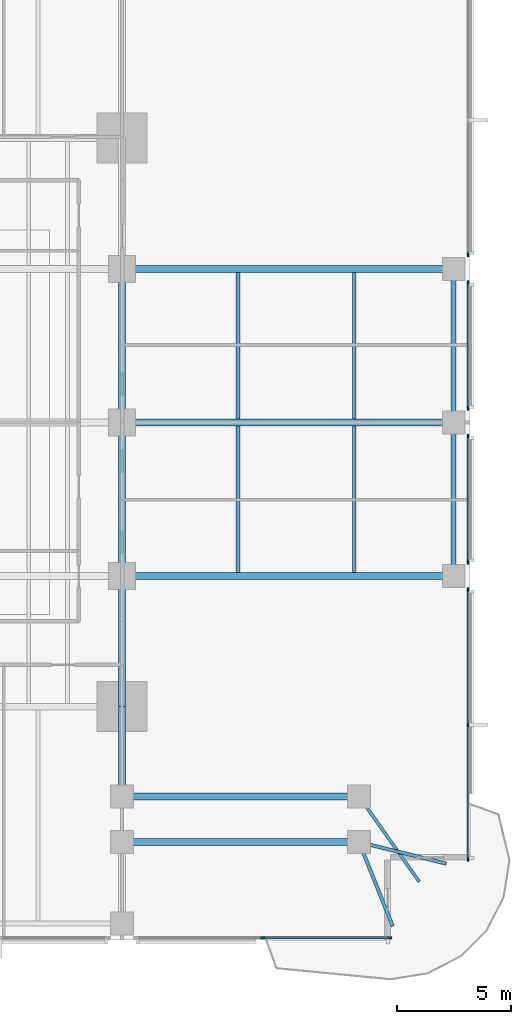
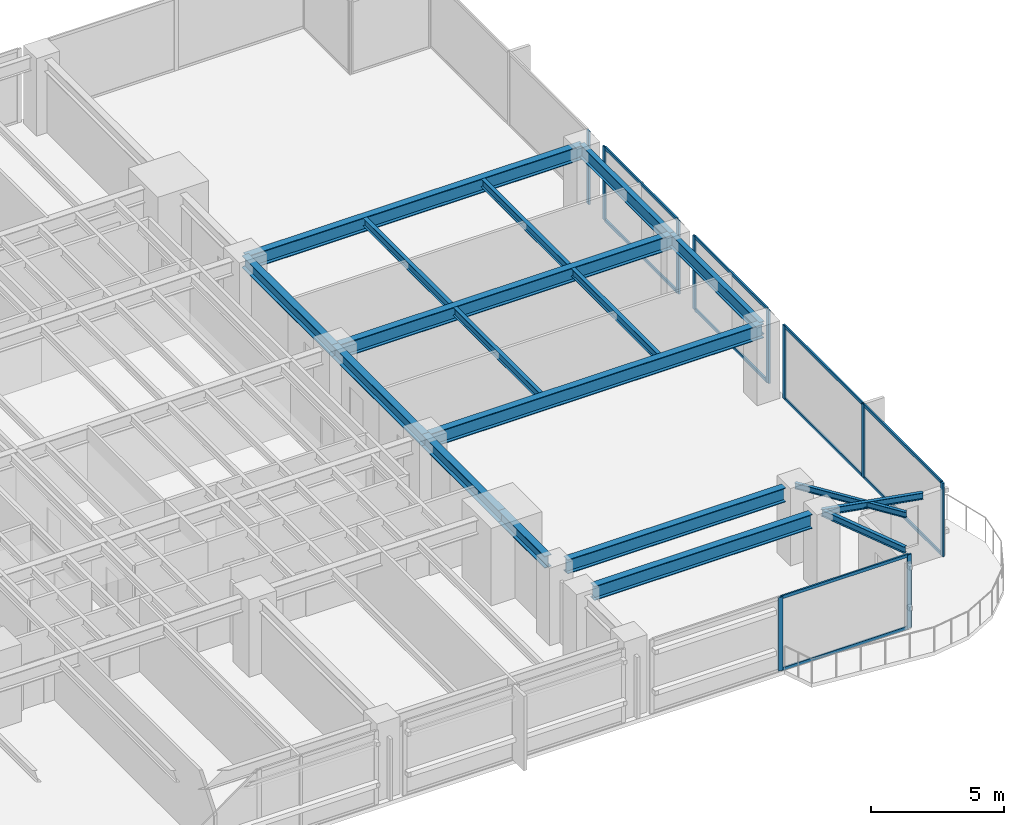
# One storey, part 4 of 15: 20 members, 18 beams, 5 elements without a shape of their own.
"""IFC4 building model written with IfcOpenShell, lengths in metres."""

from ifc_helpers import new_model, si_unit, direction, frame, origin, origin_2d, place, context, subcontext, project, spatial, rectangle, i_section, extrude, material, layer, layer_set, material_profile, profile_set, type_object, element, aggregate, save


model = new_model("IFC4")

# Units and contexts
model_context = context("Model", 3, precision=1e-05, world=origin(), true_north=direction((0.0, 1.0)))
body_context = subcontext(model_context, "Body", "Model", "MODEL_VIEW")
ifc_project = project(units=[si_unit("LENGTHUNIT", "METRE"), si_unit("AREAUNIT", "SQUARE_METRE"), si_unit("VOLUMEUNIT", "CUBIC_METRE"), si_unit("PLANEANGLEUNIT", "RADIAN"), si_unit("MASSUNIT", "GRAM", prefix="KILO")], contexts=[model_context])

# Site, building, storey
site_placement = place(None, origin())
site = spatial("IfcSite", under=ifc_project, at=site_placement, CompositionType="ELEMENT")
building_placement = place(site_placement, origin())
building = spatial("IfcBuilding", under=site, at=building_placement, Name="Kinhvarn Gate Tower", CompositionType="ELEMENT")
storey_placement = place(building_placement, frame((0.0, 0.0, 61.10009765625)))
storey = spatial("IfcBuildingStorey", under=building, at=storey_placement, Name="L15", CompositionType="ELEMENT", Elevation=61.10009765625)

# Curtain wall, members
ifc_material_1 = material(Name="Anodised aluminium AW-6063", Category="aluminium")
ifc_layer = layer(ifc_material_1, 0.179931640625)
ifc_layer_set = layer_set([ifc_layer], Name="Anodised aluminium AW-6063")
curtain_wall_type = type_object("IfcCurtainWallType", Name="CW-SYS-2", PredefinedType="NOTDEFINED", material=ifc_layer_set)
curtain_wall_1_placement = place(storey_placement, origin())
curtain_wall_1 = element("IfcCurtainWall", 1, at=curtain_wall_1_placement, inside=storey, type_object=curtain_wall_type, Name="Curtain Wall CW2 (L15)", PredefinedType="NOTDEFINED")
ifc_material_profile_1 = material_profile(ifc_material_1, rectangle(XDim=0.070068359375, YDim=0.179931640625, at=origin_2d()), Name="ALU 70x180")
ifc_profile_set_1 = profile_set([ifc_material_profile_1], Name="Anodised aluminium AW-6063")
member_type_1 = type_object("IfcMemberType", Name="CW-MUL-180", PredefinedType="MULLION", material=ifc_profile_set_1)
member_1_placement = place(storey_placement, frame((44.389892578125, 2.590087890625, 0.0), z_axis=(0.0, 0.0, 1.0), x_axis=(0.0, 1.0, 0.0)))
member_1 = element("IfcMember", 2, at=member_1_placement, type_object=member_type_1, Name="CW2 mullion 2", PredefinedType="MULLION", context=body_context, shape_type="SweptSolid", body=[
    extrude(rectangle(XDim=0.070068359375, YDim=0.179931640625, at=origin_2d()), origin(), (0.0, 0.0, 1.0), 3.369873046875),
])
member_2_placement = place(storey_placement, frame((49.965087890625, 2.590087890625, 0.0), z_axis=(0.0, 0.0, 1.0), x_axis=(0.0, 1.0, 0.0)))
member_2 = element("IfcMember", 3, at=member_2_placement, type_object=member_type_1, Name="CW2 mullion 3", PredefinedType="MULLION", context=body_context, shape_type="SweptSolid", body=[
    extrude(rectangle(XDim=0.070068359375, YDim=0.179931640625, at=origin_2d()), origin(), (0.0, 0.0, 1.0), 3.369873046875),
])

curtain_wall_2_placement = place(storey_placement, origin())
curtain_wall_2 = element("IfcCurtainWall", 4, at=curtain_wall_2_placement, inside=storey, type_object=curtain_wall_type, Name="Curtain Wall CW2 (L15)", PredefinedType="NOTDEFINED")
member_3_placement = place(storey_placement, frame((53.409912109375, 6.034912109375, 0.0), z_axis=(0.0, 0.0, 1.0), x_axis=(-1.0, 0.0, 0.0)))
member_3 = element("IfcMember", 5, at=member_3_placement, type_object=member_type_1, Name="CW2 mullion 1", PredefinedType="MULLION", context=body_context, shape_type="SweptSolid", body=[
    extrude(rectangle(XDim=0.070068359375, YDim=0.179931640625, at=origin_2d()), origin(), (0.0, 0.0, 1.0), 3.369873046875),
])
member_4_placement = place(storey_placement, frame((53.409912109375, 11.9599609375, 0.0), z_axis=(0.0, 0.0, 1.0), x_axis=(-1.0, 0.0, 0.0)))
member_4 = element("IfcMember", 6, at=member_4_placement, type_object=member_type_1, Name="CW2 mullion 2", PredefinedType="MULLION", context=body_context, shape_type="SweptSolid", body=[
    extrude(rectangle(XDim=0.070068359375, YDim=0.179931640625, at=origin_2d()), origin(), (0.0, 0.0, 1.0), 3.369873046875),
])
member_5_placement = place(storey_placement, frame((53.409912109375, 17.885009765625, 0.0), z_axis=(0.0, 0.0, 1.0), x_axis=(-1.0, 0.0, 0.0)))
member_5 = element("IfcMember", 7, at=member_5_placement, type_object=member_type_1, Name="CW2 mullion 3", PredefinedType="MULLION", context=body_context, shape_type="SweptSolid", body=[
    extrude(rectangle(XDim=0.070068359375, YDim=0.179931640625, at=origin_2d()), origin(), (0.0, 0.0, 1.0), 3.369873046875),
])

curtain_wall_3_placement = place(storey_placement, origin())
curtain_wall_3 = element("IfcCurtainWall", 8, at=curtain_wall_3_placement, inside=storey, type_object=curtain_wall_type, Name="Curtain Wall CW2 (L15)", PredefinedType="NOTDEFINED")
member_6_placement = place(storey_placement, frame((53.409912109375, 19.114990234375, 0.0), z_axis=(0.0, 0.0, 1.0), x_axis=(-1.0, 0.0, 0.0)))
member_6 = element("IfcMember", 9, at=member_6_placement, type_object=member_type_1, Name="CW2 mullion 1", PredefinedType="MULLION", context=body_context, shape_type="SweptSolid", body=[
    extrude(rectangle(XDim=0.070068359375, YDim=0.179931640625, at=origin_2d()), origin(), (0.0, 0.0, 1.0), 3.369873046875),
])
member_7_placement = place(storey_placement, frame((53.409912109375, 24.635009765625, 0.0), z_axis=(0.0, 0.0, 1.0), x_axis=(-1.0, 0.0, 0.0)))
member_7 = element("IfcMember", 10, at=member_7_placement, type_object=member_type_1, Name="CW2 mullion 2", PredefinedType="MULLION", context=body_context, shape_type="SweptSolid", body=[
    extrude(rectangle(XDim=0.070068359375, YDim=0.179931640625, at=origin_2d()), origin(), (0.0, 0.0, 1.0), 3.369873046875),
])

curtain_wall_4_placement = place(storey_placement, origin())
curtain_wall_4 = element("IfcCurtainWall", 11, at=curtain_wall_4_placement, inside=storey, type_object=curtain_wall_type, Name="Curtain Wall CW2 (L15)", PredefinedType="NOTDEFINED")
member_8_placement = place(storey_placement, frame((53.409912109375, 25.864990234375, 0.0), z_axis=(0.0, 0.0, 1.0), x_axis=(-1.0, 0.0, 0.0)))
member_8 = element("IfcMember", 12, at=member_8_placement, type_object=member_type_1, Name="CW2 mullion 1", PredefinedType="MULLION", context=body_context, shape_type="SweptSolid", body=[
    extrude(rectangle(XDim=0.070068359375, YDim=0.179931640625, at=origin_2d()), origin(), (0.0, 0.0, 1.0), 3.369873046875),
])
member_9_placement = place(storey_placement, frame((53.409912109375, 31.385009765625, 0.0), z_axis=(0.0, 0.0, 1.0), x_axis=(-1.0, 0.0, 0.0)))
member_9 = element("IfcMember", 13, at=member_9_placement, type_object=member_type_1, Name="CW2 mullion 2", PredefinedType="MULLION", context=body_context, shape_type="SweptSolid", body=[
    extrude(rectangle(XDim=0.070068359375, YDim=0.179931640625, at=origin_2d()), origin(), (0.0, 0.0, 1.0), 3.369873046875),
])

# Curtain wall, member
curtain_wall_5_placement = place(storey_placement, origin())
curtain_wall_5 = element("IfcCurtainWall", 14, at=curtain_wall_5_placement, inside=storey, type_object=curtain_wall_type, Name="Curtain Wall CW2 (L15)", PredefinedType="NOTDEFINED")
member_10_placement = place(storey_placement, frame((53.409912109375, 32.614990234375, 0.0), z_axis=(0.0, 0.0, 1.0), x_axis=(-1.0, 0.0, 0.0)))
member_10 = element("IfcMember", 15, at=member_10_placement, type_object=member_type_1, Name="CW2 mullion 1", PredefinedType="MULLION", context=body_context, shape_type="SweptSolid", body=[
    extrude(rectangle(XDim=0.070068359375, YDim=0.179931640625, at=origin_2d()), origin(), (0.0, 0.0, 1.0), 3.369873046875),
])
aggregate(curtain_wall_5, [member_10])

# Member
ifc_material_profile_2 = material_profile(ifc_material_1, rectangle(XDim=0.070068359375, YDim=0.139892578125, at=origin_2d()), Name="ALU 70x140")
ifc_profile_set_2 = profile_set([ifc_material_profile_2], Name="Anodised aluminium AW-6063")
member_type_2 = type_object("IfcMemberType", Name="CW-TRN-140", PredefinedType="USERDEFINED", material=ifc_profile_set_2)
member_11_placement = place(storey_placement, frame((44.425048828125, 2.590087890625, 0.034912109375), z_axis=(1.0, 0.0, 0.0), x_axis=(0.0, 1.0, 0.0)))
member_11 = element("IfcMember", 16, at=member_11_placement, type_object=member_type_2, Name="CW2 transom 2.1", ObjectType="TRANSOM", PredefinedType="USERDEFINED", context=body_context, shape_type="SweptSolid", body=[
    extrude(rectangle(XDim=0.070068359375, YDim=0.139892578125, at=origin_2d()), origin(), (0.0, 0.0, 1.0), 5.5048828125),
])

member_12_placement = place(storey_placement, frame((44.425048828125, 2.590087890625, 3.3349609375), z_axis=(1.0, 0.0, 0.0), x_axis=(0.0, 1.0, 0.0)))
member_12 = element("IfcMember", 17, at=member_12_placement, type_object=member_type_2, Name="CW2 transom 2.2", ObjectType="TRANSOM", PredefinedType="USERDEFINED", context=body_context, shape_type="SweptSolid", body=[
    extrude(rectangle(XDim=0.070068359375, YDim=0.139892578125, at=origin_2d()), origin(), (0.0, 0.0, 1.0), 5.5048828125),
])

aggregate(curtain_wall_1, [member_1, member_2, member_11, member_12])

member_13_placement = place(storey_placement, frame((53.409912109375, 6.070068359375, 0.034912109375), z_axis=(0.0, 1.0, 0.0), x_axis=(-1.0, 0.0, 0.0)))
member_13 = element("IfcMember", 18, at=member_13_placement, type_object=member_type_2, Name="CW2 transom 1.1", ObjectType="TRANSOM", PredefinedType="USERDEFINED", context=body_context, shape_type="SweptSolid", body=[
    extrude(rectangle(XDim=0.070068359375, YDim=0.139892578125, at=origin_2d()), origin(), (0.0, 0.0, 1.0), 5.85498046875),
])

member_14_placement = place(storey_placement, frame((53.409912109375, 6.070068359375, 3.3349609375), z_axis=(0.0, 1.0, 0.0), x_axis=(-1.0, 0.0, 0.0)))
member_14 = element("IfcMember", 19, at=member_14_placement, type_object=member_type_2, Name="CW2 transom 1.2", ObjectType="TRANSOM", PredefinedType="USERDEFINED", context=body_context, shape_type="SweptSolid", body=[
    extrude(rectangle(XDim=0.070068359375, YDim=0.139892578125, at=origin_2d()), origin(), (0.0, 0.0, 1.0), 5.85498046875),
])

member_15_placement = place(storey_placement, frame((53.409912109375, 11.9951171875, 0.034912109375), z_axis=(0.0, 1.0, 0.0), x_axis=(-1.0, 0.0, 0.0)))
member_15 = element("IfcMember", 20, at=member_15_placement, type_object=member_type_2, Name="CW2 transom 2.1", ObjectType="TRANSOM", PredefinedType="USERDEFINED", context=body_context, shape_type="SweptSolid", body=[
    extrude(rectangle(XDim=0.070068359375, YDim=0.139892578125, at=origin_2d()), origin(), (0.0, 0.0, 1.0), 5.85498046875),
])

member_16_placement = place(storey_placement, frame((53.409912109375, 11.9951171875, 3.3349609375), z_axis=(0.0, 1.0, 0.0), x_axis=(-1.0, 0.0, 0.0)))
member_16 = element("IfcMember", 21, at=member_16_placement, type_object=member_type_2, Name="CW2 transom 2.2", ObjectType="TRANSOM", PredefinedType="USERDEFINED", context=body_context, shape_type="SweptSolid", body=[
    extrude(rectangle(XDim=0.070068359375, YDim=0.139892578125, at=origin_2d()), origin(), (0.0, 0.0, 1.0), 5.85498046875),
])

aggregate(curtain_wall_2, [member_3, member_4, member_5, member_13, member_14, member_15, member_16])

member_17_placement = place(storey_placement, frame((53.409912109375, 19.14990234375, 0.034912109375), z_axis=(0.0, 1.0, 0.0), x_axis=(-1.0, 0.0, 0.0)))
member_17 = element("IfcMember", 22, at=member_17_placement, type_object=member_type_2, Name="CW2 transom 1.1", ObjectType="TRANSOM", PredefinedType="USERDEFINED", context=body_context, shape_type="SweptSolid", body=[
    extrude(rectangle(XDim=0.070068359375, YDim=0.139892578125, at=origin_2d()), origin(), (0.0, 0.0, 1.0), 5.4501953125),
])

member_18_placement = place(storey_placement, frame((53.409912109375, 19.14990234375, 3.3349609375), z_axis=(0.0, 1.0, 0.0), x_axis=(-1.0, 0.0, 0.0)))
member_18 = element("IfcMember", 23, at=member_18_placement, type_object=member_type_2, Name="CW2 transom 1.2", ObjectType="TRANSOM", PredefinedType="USERDEFINED", context=body_context, shape_type="SweptSolid", body=[
    extrude(rectangle(XDim=0.070068359375, YDim=0.139892578125, at=origin_2d()), origin(), (0.0, 0.0, 1.0), 5.4501953125),
])

aggregate(curtain_wall_3, [member_6, member_7, member_17, member_18])

member_19_placement = place(storey_placement, frame((53.409912109375, 25.89990234375, 0.034912109375), z_axis=(0.0, 1.0, 0.0), x_axis=(-1.0, 0.0, 0.0)))
member_19 = element("IfcMember", 24, at=member_19_placement, type_object=member_type_2, Name="CW2 transom 1.1", ObjectType="TRANSOM", PredefinedType="USERDEFINED", context=body_context, shape_type="SweptSolid", body=[
    extrude(rectangle(XDim=0.070068359375, YDim=0.139892578125, at=origin_2d()), origin(), (0.0, 0.0, 1.0), 5.4501953125),
])

member_20_placement = place(storey_placement, frame((53.409912109375, 25.89990234375, 3.3349609375), z_axis=(0.0, 1.0, 0.0), x_axis=(-1.0, 0.0, 0.0)))
member_20 = element("IfcMember", 25, at=member_20_placement, type_object=member_type_2, Name="CW2 transom 1.2", ObjectType="TRANSOM", PredefinedType="USERDEFINED", context=body_context, shape_type="SweptSolid", body=[
    extrude(rectangle(XDim=0.070068359375, YDim=0.139892578125, at=origin_2d()), origin(), (0.0, 0.0, 1.0), 5.4501953125),
])

aggregate(curtain_wall_4, [member_8, member_9, member_19, member_20])

# Beams
ifc_material_2 = material(Name="Steel S355", Category="steel")
ifc_material_profile_3 = material_profile(ifc_material_2, i_section(OverallWidth=0.300048828125, OverallDepth=0.550048828125, WebThickness=0.014892578125, FlangeThickness=0.029052734375, at=origin_2d()), Name="HEB 550")
ifc_profile_set_3 = profile_set([ifc_material_profile_3], Name="Steel S355")
beam_type_1 = type_object("IfcBeamType", Name="STL-HEB550", PredefinedType="BEAM", material=ifc_profile_set_3)
beam_1_placement = place(storey_placement, frame((38.199951171875, 9.284912109375, 3.094970703125), z_axis=(0.0, 1.0, 0.0), x_axis=(-1.0, 0.0, 0.0)))
element("IfcBeam", 26, at=beam_1_placement, inside=storey, type_object=beam_type_1, Name="Floor Beam PG-15 (L15 MCE-S-A2)", PredefinedType="BEAM", context=body_context, shape_type="SweptSolid", body=[
    extrude(i_section(OverallWidth=0.300048828125, OverallDepth=0.550048828125, WebThickness=0.014892578125, FlangeThickness=0.029052734375, at=origin_2d()), origin(), (0.0, 0.0, 1.0), 3.465087890625),
])
beam_2_placement = place(storey_placement, frame((38.199951171875, 12.75, 3.094970703125), z_axis=(0.0, 1.0, 0.0), x_axis=(-1.0, 0.0, 0.0)))
element("IfcBeam", 27, at=beam_2_placement, inside=storey, type_object=beam_type_1, Name="Floor Beam PG-15 (L15 MG-E-12)", PredefinedType="BEAM", context=body_context, shape_type="SweptSolid", body=[
    extrude(i_section(OverallWidth=0.300048828125, OverallDepth=0.550048828125, WebThickness=0.014892578125, FlangeThickness=0.029052734375, at=origin_2d()), origin(), (0.0, 0.0, 1.0), 5.75),
])
for number, where, z_axis, x_axis, name in (
    (28, (38.199951171875, 18.5, 3.094970703125), (0.0, 1.0, 0.0), (-1.0, 0.0, 0.0), "Floor Beam PG-15 (L15 MG-E-18)"),
    (29, (38.199951171875, 25.25, 3.094970703125), (0.0, 1.0, 0.0), (-1.0, 0.0, 0.0), "Floor Beam PG-15 (L15 MG-E-25)"),
):
    element("IfcBeam", number, at=place(storey_placement, frame(where, z_axis=z_axis, x_axis=x_axis)), inside=storey, type_object=beam_type_1, Name=name, PredefinedType="BEAM", context=body_context, shape_type="SweptSolid", body=[
        extrude(i_section(OverallWidth=0.300048828125, OverallDepth=0.550048828125, WebThickness=0.014892578125, FlangeThickness=0.029052734375, at=origin_2d()), origin(), (0.0, 0.0, 1.0), 6.75),
    ])
ifc_material_profile_4 = material_profile(ifc_material_2, i_section(OverallWidth=0.300048828125, OverallDepth=0.64990234375, WebThickness=0.01611328125, FlangeThickness=0.031005859375, at=origin_2d()), Name="HEB 650")
ifc_profile_set_4 = profile_set([ifc_material_profile_4], Name="Steel S355")
beam_type_2 = type_object("IfcBeamType", Name="STL-HEB650", PredefinedType="BEAM", material=ifc_profile_set_4)
for number, where, z_axis, x_axis, name in (
    (30, (38.68505859375, 8.800048828125, 3.044921875), (1.0, 0.0, 0.0), (0.0, 1.0, 0.0), "Floor Beam PG-17 (L15 SP-SE1B)"),
    (31, (38.68505859375, 6.800048828125, 3.044921875), (1.0, 0.0, 0.0), (0.0, 1.0, 0.0), "Floor Beam PG-17 (L15 SP-SE1A)"),
):
    element("IfcBeam", number, at=place(storey_placement, frame(where, z_axis=z_axis, x_axis=x_axis)), inside=storey, type_object=beam_type_2, Name=name, PredefinedType="BEAM", context=body_context, shape_type="SweptSolid", body=[
        extrude(i_section(OverallWidth=0.300048828125, OverallDepth=0.64990234375, WebThickness=0.01611328125, FlangeThickness=0.031005859375, at=origin_2d()), origin(), (0.0, 0.0, 1.0), 9.449951171875),
    ])
for number, where, z_axis, x_axis, name in (
    (32, (38.199951171875, 18.5, 3.044921875), (1.0, 0.0, 0.0), (0.0, 1.0, 0.0), "Floor Beam PG-17 (L15 EW2-Y18)"),
    (33, (38.199951171875, 25.25, 3.044921875), (1.0, 0.0, 0.0), (0.0, 1.0, 0.0), "Floor Beam PG-17 (L15 EW2-Y25)"),
    (34, (38.199951171875, 32.0, 3.044921875), (1.0, 0.0, 0.0), (0.0, 1.0, 0.0), "Floor Beam PG-17 (L15 EW2-Y32)"),
):
    element("IfcBeam", number, at=place(storey_placement, frame(where, z_axis=z_axis, x_axis=x_axis)), inside=storey, type_object=beam_type_2, Name=name, PredefinedType="BEAM", context=body_context, shape_type="SweptSolid", body=[
        extrude(i_section(OverallWidth=0.300048828125, OverallDepth=0.64990234375, WebThickness=0.01611328125, FlangeThickness=0.031005859375, at=origin_2d()), origin(), (0.0, 0.0, 1.0), 14.580078125),
    ])
ifc_material_profile_5 = material_profile(ifc_material_2, i_section(OverallWidth=0.135009765625, OverallDepth=0.27001953125, WebThickness=0.006591796875, FlangeThickness=0.01025390625, at=origin_2d()), Name="IPE 270")
ifc_profile_set_5 = profile_set([ifc_material_profile_5], Name="Steel S355")
beam_type_3 = type_object("IfcBeamType", Name="STL-IPE270", PredefinedType="JOIST", material=ifc_profile_set_5)
beam_3_placement = place(storey_placement, frame((48.6201171875, 8.800048828125, 3.23486328125), z_axis=(0.57709644225, -0.81667600451, 0.0), x_axis=(0.81667600451, 0.57709644225, 0.0)))
element("IfcBeam", 35, at=beam_3_placement, inside=storey, type_object=beam_type_3, Name="Floor Joist SB-01 (L15 BAL-B3-L16)", PredefinedType="JOIST", context=body_context, shape_type="SweptSolid", body=[
    extrude(i_section(OverallWidth=0.135009765625, OverallDepth=0.27001953125, WebThickness=0.006591796875, FlangeThickness=0.01025390625, at=origin_2d()), origin(), (0.0, 0.0, 1.0), 4.591796875),
])
ifc_material_profile_6 = material_profile(ifc_material_2, i_section(OverallWidth=0.14990234375, OverallDepth=0.300048828125, WebThickness=0.007080078125, FlangeThickness=0.0107421875, at=origin_2d()), Name="IPE 300")
ifc_profile_set_6 = profile_set([ifc_material_profile_6], Name="Steel S355")
beam_type_4 = type_object("IfcBeamType", Name="STL-IPE300", PredefinedType="JOIST", material=ifc_profile_set_6)
beam_4_placement = place(storey_placement, frame((48.6201171875, 6.800048828125, 3.219970703125), z_axis=(0.97058851083, -0.240744558911, 0.0), x_axis=(0.240744558911, 0.97058851083, 0.0)))
element("IfcBeam", 36, at=beam_4_placement, inside=storey, type_object=beam_type_4, Name="Floor Joist SB-02 (L15 BAL-B1-L16)", PredefinedType="JOIST", context=body_context, shape_type="SweptSolid", body=[
    extrude(i_section(OverallWidth=0.14990234375, OverallDepth=0.300048828125, WebThickness=0.007080078125, FlangeThickness=0.0107421875, at=origin_2d()), origin(), (0.0, 0.0, 1.0), 3.94580078125),
])
beam_5_placement = place(storey_placement, frame((48.6201171875, 6.800048828125, 3.219970703125), z_axis=(0.371390676354, -0.928476690885, 0.0), x_axis=(0.928476690885, 0.371390676354, 0.0)))
element("IfcBeam", 37, at=beam_5_placement, inside=storey, type_object=beam_type_4, Name="Floor Joist SB-02 (L15 BAL-B2-L16)", PredefinedType="JOIST", context=body_context, shape_type="SweptSolid", body=[
    extrude(i_section(OverallWidth=0.14990234375, OverallDepth=0.300048828125, WebThickness=0.007080078125, FlangeThickness=0.0107421875, at=origin_2d()), origin(), (0.0, 0.0, 1.0), 3.98486328125),
])
ifc_material_profile_7 = material_profile(ifc_material_2, i_section(OverallWidth=0.169921875, OverallDepth=0.360107421875, WebThickness=0.008056640625, FlangeThickness=0.0126953125, at=origin_2d()), Name="IPE 360")
ifc_profile_set_7 = profile_set([ifc_material_profile_7], Name="Steel S355")
beam_type_5 = type_object("IfcBeamType", Name="STL-IPE360", PredefinedType="JOIST", material=ifc_profile_set_7)
for number, where, z_axis, x_axis, name in (
    (38, (43.300048828125, 18.64990234375, 3.18994140625), (0.0, 1.0, 0.0), (-1.0, 0.0, 0.0), "Floor Joist SB-04 (L15 JC-X433-1)"),
    (39, (43.300048828125, 25.39990234375, 3.18994140625), (0.0, 1.0, 0.0), (-1.0, 0.0, 0.0), "Floor Joist SB-04 (L15 JC-X433-2)"),
    (40, (48.409912109375, 18.64990234375, 3.18994140625), (0.0, 1.0, 0.0), (-1.0, 0.0, 0.0), "Floor Joist SB-04 (L15 JC-X484-1)"),
    (41, (48.409912109375, 25.39990234375, 3.18994140625), (0.0, 1.0, 0.0), (-1.0, 0.0, 0.0), "Floor Joist SB-04 (L15 JC-X484-2)"),
):
    element("IfcBeam", number, at=place(storey_placement, frame(where, z_axis=z_axis, x_axis=x_axis)), inside=storey, type_object=beam_type_5, Name=name, PredefinedType="JOIST", context=body_context, shape_type="SweptSolid", body=[
        extrude(i_section(OverallWidth=0.169921875, OverallDepth=0.360107421875, WebThickness=0.008056640625, FlangeThickness=0.0126953125, at=origin_2d()), origin(), (0.0, 0.0, 1.0), 6.4501953125),
    ])
ifc_material_profile_8 = material_profile(ifc_material_2, i_section(OverallWidth=0.219970703125, OverallDepth=0.60009765625, WebThickness=0.011962890625, FlangeThickness=0.01904296875, at=origin_2d()), Name="IPE 600")
ifc_profile_set_8 = profile_set([ifc_material_profile_8], Name="Steel S355")
beam_type_6 = type_object("IfcBeamType", Name="STL-IPE600", PredefinedType="SPANDREL", material=ifc_profile_set_8)
for number, where, z_axis, x_axis, name in (
    (42, (52.780029296875, 18.5, 3.06982421875), (0.0, 1.0, 0.0), (-1.0, 0.0, 0.0), "Floor Spandrel SB-09 (L15 SP-E2)"),
    (43, (52.780029296875, 25.25, 3.06982421875), (0.0, 1.0, 0.0), (-1.0, 0.0, 0.0), "Floor Spandrel SB-09 (L15 SP-E3)"),
):
    element("IfcBeam", number, at=place(storey_placement, frame(where, z_axis=z_axis, x_axis=x_axis)), inside=storey, type_object=beam_type_6, Name=name, PredefinedType="SPANDREL", context=body_context, shape_type="SweptSolid", body=[
        extrude(i_section(OverallWidth=0.219970703125, OverallDepth=0.60009765625, WebThickness=0.011962890625, FlangeThickness=0.01904296875, at=origin_2d()), origin(), (0.0, 0.0, 1.0), 6.75),
    ])

save(model, "model.ifc")
